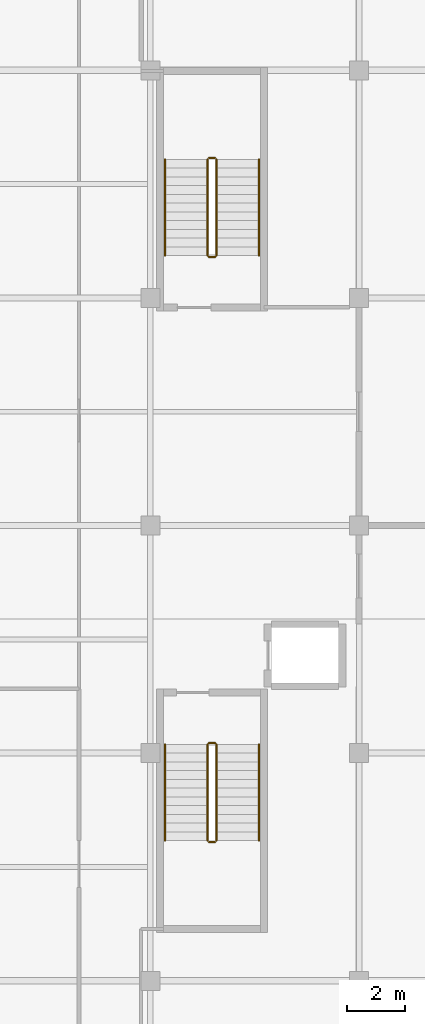
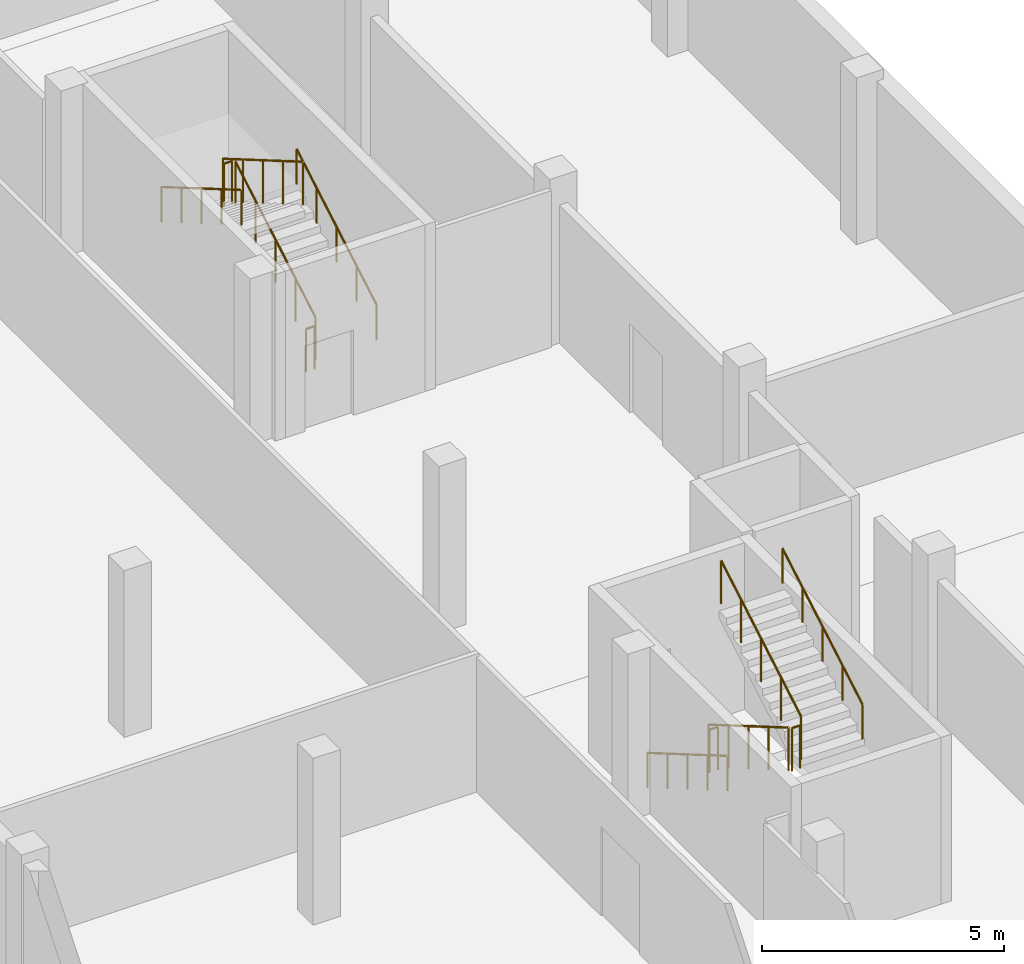
# One storey, part 11 of 15: 12 railings.
"""IFC4 building model written with IfcOpenShell, lengths in metres."""

from ifc_helpers import new_model, si_unit, direction, frame, origin, origin_2d, place, context, subcontext, project, spatial, circle, extrude, material, type_object, element, save


model = new_model("IFC4")

# Units and contexts
model_context = context("Model", 3, precision=1e-05, world=origin(), true_north=direction((0.0, 1.0)))
body_context = subcontext(model_context, "Body", "Model", "MODEL_VIEW")
ifc_project = project(units=[si_unit("LENGTHUNIT", "METRE"), si_unit("AREAUNIT", "SQUARE_METRE"), si_unit("VOLUMEUNIT", "CUBIC_METRE"), si_unit("PLANEANGLEUNIT", "RADIAN"), si_unit("MASSUNIT", "GRAM", prefix="KILO")], contexts=[model_context])

# Site, building, storey
site_placement = place(None, origin())
site = spatial("IfcSite", under=ifc_project, at=site_placement, CompositionType="ELEMENT")
building_placement = place(site_placement, origin())
building = spatial("IfcBuilding", under=site, at=building_placement, Name="Quillay Park Conservatory", CompositionType="ELEMENT")
storey_placement = place(building_placement, frame((0.0, 0.0, -4.199951171875)))
storey = spatial("IfcBuildingStorey", under=building, at=storey_placement, Name="B1", CompositionType="ELEMENT", Elevation=-4.199951171875)

# Railings
ifc_material_1 = material(Name="Steel S355J2H", Category="steel")
railing_type_1 = type_object("IfcRailingType", Name="STAIR WALL HANDRAIL 900", PredefinedType="HANDRAIL", material=ifc_material_1)
railing_1_placement = place(storey_placement, frame((15.5, 23.699951171875, 0.175048828125)))
element("IfcRailing", 1, at=railing_1_placement, inside=storey, type_object=railing_type_1, Name="B1 ST-V1 stair handrail 1", PredefinedType="HANDRAIL", context=body_context, shape_type="SweptSolid", body=[
    extrude(circle(Radius=0.02392578125, at=origin_2d()), frame((0.0, 0.0, 0.8759765625), z_axis=(0.0, -0.863804395585, 0.503827317807), x_axis=(1.0, 0.0, 0.0)), (0.0, 0.0, 1.0), 3.8203125),
    extrude(circle(Radius=0.02099609375, at=origin_2d()), origin(), (0.0, 0.0, 1.0), 0.851806640625),
    extrude(circle(Radius=0.02099609375, at=origin_2d()), frame((0.0, -0.824951171875, 0.481201171875)), (0.0, 0.0, 1.0), 0.851806640625),
    extrude(circle(Radius=0.02099609375, at=origin_2d()), frame((0.0, -1.64990234375, 0.96240234375)), (0.0, 0.0, 1.0), 0.851806640625),
    extrude(circle(Radius=0.02099609375, at=origin_2d()), frame((0.0, -2.47509765625, 1.443603515625)), (0.0, 0.0, 1.0), 0.851806640625),
    extrude(circle(Radius=0.02099609375, at=origin_2d()), frame((0.0, -3.300048828125, 1.9248046875)), (0.0, 0.0, 1.0), 0.851806640625),
])
railing_2_placement = place(storey_placement, frame((18.719970703125, 20.39990234375, 2.27490234375)))
element("IfcRailing", 2, at=railing_2_placement, inside=storey, type_object=railing_type_1, Name="B1 ST-V1 stair handrail 2", PredefinedType="HANDRAIL", context=body_context, shape_type="SweptSolid", body=[
    extrude(circle(Radius=0.02392578125, at=origin_2d()), frame((0.0, 0.0, 0.8759765625), z_axis=(0.0, 0.863776583165, 0.503874998761), x_axis=(-1.0, 0.0, 0.0)), (0.0, 0.0, 1.0), 3.820556640625),
    extrude(circle(Radius=0.02099609375, at=origin_2d()), origin(), (0.0, 0.0, 1.0), 0.851806640625),
    extrude(circle(Radius=0.02099609375, at=origin_2d()), frame((0.0, 0.824951171875, 0.481201171875)), (0.0, 0.0, 1.0), 0.851806640625),
    extrude(circle(Radius=0.02099609375, at=origin_2d()), frame((0.0, 1.64990234375, 0.96240234375)), (0.0, 0.0, 1.0), 0.851806640625),
    extrude(circle(Radius=0.02099609375, at=origin_2d()), frame((0.0, 2.47509765625, 1.44384765625)), (0.0, 0.0, 1.0), 0.851806640625),
    extrude(circle(Radius=0.02099609375, at=origin_2d()), frame((0.0, 3.300048828125, 1.925048828125)), (0.0, 0.0, 1.0), 0.851806640625),
])
railing_3_placement = place(storey_placement, frame((18.719970703125, 40.449951171875, 0.175048828125)))
element("IfcRailing", 3, at=railing_3_placement, inside=storey, type_object=railing_type_1, Name="B1 ST-V2 stair handrail 1", PredefinedType="HANDRAIL", context=body_context, shape_type="SweptSolid", body=[
    extrude(circle(Radius=0.02392578125, at=origin_2d()), frame((0.0, 0.0, 0.8759765625), z_axis=(0.0, 0.863804395585, 0.503827317807), x_axis=(-1.0, 0.0, 0.0)), (0.0, 0.0, 1.0), 3.8203125),
    extrude(circle(Radius=0.02099609375, at=origin_2d()), origin(), (0.0, 0.0, 1.0), 0.851806640625),
    extrude(circle(Radius=0.02099609375, at=origin_2d()), frame((0.0, 0.824951171875, 0.481201171875)), (0.0, 0.0, 1.0), 0.851806640625),
    extrude(circle(Radius=0.02099609375, at=origin_2d()), frame((0.0, 1.64990234375, 0.96240234375)), (0.0, 0.0, 1.0), 0.851806640625),
    extrude(circle(Radius=0.02099609375, at=origin_2d()), frame((0.0, 2.47509765625, 1.443603515625)), (0.0, 0.0, 1.0), 0.851806640625),
    extrude(circle(Radius=0.02099609375, at=origin_2d()), frame((0.0, 3.300048828125, 1.9248046875)), (0.0, 0.0, 1.0), 0.851806640625),
])
railing_4_placement = place(storey_placement, frame((15.5, 43.75, 2.27490234375)))
element("IfcRailing", 4, at=railing_4_placement, inside=storey, type_object=railing_type_1, Name="B1 ST-V2 stair handrail 2", PredefinedType="HANDRAIL", context=body_context, shape_type="SweptSolid", body=[
    extrude(circle(Radius=0.02392578125, at=origin_2d()), frame((0.0, 0.0, 0.8759765625), z_axis=(0.0, -0.863776583165, 0.503874998761), x_axis=(1.0, 0.0, 0.0)), (0.0, 0.0, 1.0), 3.820556640625),
    extrude(circle(Radius=0.02099609375, at=origin_2d()), origin(), (0.0, 0.0, 1.0), 0.851806640625),
    extrude(circle(Radius=0.02099609375, at=origin_2d()), frame((0.0, -0.824951171875, 0.481201171875)), (0.0, 0.0, 1.0), 0.851806640625),
    extrude(circle(Radius=0.02099609375, at=origin_2d()), frame((0.0, -1.64990234375, 0.96240234375)), (0.0, 0.0, 1.0), 0.851806640625),
    extrude(circle(Radius=0.02099609375, at=origin_2d()), frame((0.0, -2.47509765625, 1.44384765625)), (0.0, 0.0, 1.0), 0.851806640625),
    extrude(circle(Radius=0.02099609375, at=origin_2d()), frame((0.0, -3.300048828125, 1.925048828125)), (0.0, 0.0, 1.0), 0.851806640625),
])
ifc_material_2 = material(Name="Steel S355J2H", Category="steel")
railing_type_2 = type_object("IfcRailingType", Name="STAIR WELL GUARDRAIL 1100", PredefinedType="GUARDRAIL", material=ifc_material_2)
railing_5_placement = place(storey_placement, frame((16.9599609375, 23.699951171875, 0.175048828125)))
element("IfcRailing", 5, at=railing_5_placement, inside=storey, type_object=railing_type_2, Name="B1 ST-V1 stair guard 1", PredefinedType="GUARDRAIL", context=body_context, shape_type="SweptSolid", body=[
    extrude(circle(Radius=0.02392578125, at=origin_2d()), frame((0.0, 0.0, 1.076171875), z_axis=(0.0, -0.863804395585, 0.503827317807), x_axis=(1.0, 0.0, 0.0)), (0.0, 0.0, 1.0), 3.8203125),
    extrude(circle(Radius=0.02099609375, at=origin_2d()), origin(), (0.0, 0.0, 1.0), 1.052001953125),
    extrude(circle(Radius=0.02099609375, at=origin_2d()), frame((0.0, -0.824951171875, 0.481201171875)), (0.0, 0.0, 1.0), 1.052001953125),
    extrude(circle(Radius=0.02099609375, at=origin_2d()), frame((0.0, -1.64990234375, 0.96240234375)), (0.0, 0.0, 1.0), 1.052001953125),
    extrude(circle(Radius=0.02099609375, at=origin_2d()), frame((0.0, -2.47509765625, 1.443603515625)), (0.0, 0.0, 1.0), 1.052001953125),
    extrude(circle(Radius=0.02099609375, at=origin_2d()), frame((0.0, -3.300048828125, 1.9248046875)), (0.0, 0.0, 1.0), 1.052001953125),
])
railing_6_placement = place(storey_placement, frame((17.010009765625, 20.35009765625, 2.099853515625)))
element("IfcRailing", 6, at=railing_6_placement, inside=storey, type_object=railing_type_2, Name="B1 ST-V1 stair guard 2", PredefinedType="GUARDRAIL", context=body_context, shape_type="SweptSolid", body=[
    extrude(circle(Radius=0.02392578125, at=origin_2d()), frame((0.0, 0.0, 1.076171875), z_axis=(1.0, 0.0, 0.0), x_axis=(0.0, 1.0, 0.0)), (0.0, 0.0, 1.0), 0.199951171875),
    extrude(circle(Radius=0.02099609375, at=origin_2d()), origin(), (0.0, 0.0, 1.0), 1.052001953125),
    extrude(circle(Radius=0.02099609375, at=origin_2d()), frame((0.199951171875, 0.0, 0.0)), (0.0, 0.0, 1.0), 1.052001953125),
])
railing_7_placement = place(storey_placement, frame((17.260009765625, 20.39990234375, 2.27490234375)))
element("IfcRailing", 7, at=railing_7_placement, inside=storey, type_object=railing_type_2, Name="B1 ST-V1 stair guard 3", PredefinedType="GUARDRAIL", context=body_context, shape_type="SweptSolid", body=[
    extrude(circle(Radius=0.02392578125, at=origin_2d()), frame((0.0, 0.0, 1.076171875), z_axis=(0.0, 0.863776583165, 0.503874998761), x_axis=(-1.0, 0.0, 0.0)), (0.0, 0.0, 1.0), 3.820556640625),
    extrude(circle(Radius=0.02099609375, at=origin_2d()), origin(), (0.0, 0.0, 1.0), 1.052001953125),
    extrude(circle(Radius=0.02099609375, at=origin_2d()), frame((0.0, 0.824951171875, 0.481201171875)), (0.0, 0.0, 1.0), 1.052001953125),
    extrude(circle(Radius=0.02099609375, at=origin_2d()), frame((0.0, 1.64990234375, 0.96240234375)), (0.0, 0.0, 1.0), 1.052001953125),
    extrude(circle(Radius=0.02099609375, at=origin_2d()), frame((0.0, 2.47509765625, 1.44384765625)), (0.0, 0.0, 1.0), 1.052001953125),
    extrude(circle(Radius=0.02099609375, at=origin_2d()), frame((0.0, 3.300048828125, 1.925048828125)), (0.0, 0.0, 1.0), 1.052001953125),
])
railing_8_placement = place(storey_placement, frame((17.010009765625, 23.75, 0.0)))
element("IfcRailing", 8, at=railing_8_placement, inside=storey, type_object=railing_type_2, Name="B1 ST-V1 stair guard 4", PredefinedType="GUARDRAIL", context=body_context, shape_type="SweptSolid", body=[
    extrude(circle(Radius=0.02392578125, at=origin_2d()), frame((0.0, 0.0, 1.076171875), z_axis=(1.0, 0.0, 0.0), x_axis=(0.0, 1.0, 0.0)), (0.0, 0.0, 1.0), 0.199951171875),
    extrude(circle(Radius=0.02099609375, at=origin_2d()), origin(), (0.0, 0.0, 1.0), 1.052001953125),
    extrude(circle(Radius=0.02099609375, at=origin_2d()), frame((0.199951171875, 0.0, 0.0)), (0.0, 0.0, 1.0), 1.052001953125),
])
railing_9_placement = place(storey_placement, frame((17.260009765625, 40.449951171875, 0.175048828125)))
element("IfcRailing", 9, at=railing_9_placement, inside=storey, type_object=railing_type_2, Name="B1 ST-V2 stair guard 1", PredefinedType="GUARDRAIL", context=body_context, shape_type="SweptSolid", body=[
    extrude(circle(Radius=0.02392578125, at=origin_2d()), frame((0.0, 0.0, 1.076171875), z_axis=(0.0, 0.863804395585, 0.503827317807), x_axis=(-1.0, 0.0, 0.0)), (0.0, 0.0, 1.0), 3.8203125),
    extrude(circle(Radius=0.02099609375, at=origin_2d()), origin(), (0.0, 0.0, 1.0), 1.052001953125),
    extrude(circle(Radius=0.02099609375, at=origin_2d()), frame((0.0, 0.824951171875, 0.481201171875)), (0.0, 0.0, 1.0), 1.052001953125),
    extrude(circle(Radius=0.02099609375, at=origin_2d()), frame((0.0, 1.64990234375, 0.96240234375)), (0.0, 0.0, 1.0), 1.052001953125),
    extrude(circle(Radius=0.02099609375, at=origin_2d()), frame((0.0, 2.47509765625, 1.443603515625)), (0.0, 0.0, 1.0), 1.052001953125),
    extrude(circle(Radius=0.02099609375, at=origin_2d()), frame((0.0, 3.300048828125, 1.9248046875)), (0.0, 0.0, 1.0), 1.052001953125),
])
railing_10_placement = place(storey_placement, frame((17.2099609375, 43.800048828125, 2.099853515625)))
element("IfcRailing", 10, at=railing_10_placement, inside=storey, type_object=railing_type_2, Name="B1 ST-V2 stair guard 2", PredefinedType="GUARDRAIL", context=body_context, shape_type="SweptSolid", body=[
    extrude(circle(Radius=0.02392578125, at=origin_2d()), frame((0.0, 0.0, 1.076171875), z_axis=(-1.0, 0.0, 0.0), x_axis=(0.0, -1.0, 0.0)), (0.0, 0.0, 1.0), 0.199951171875),
    extrude(circle(Radius=0.02099609375, at=origin_2d()), origin(), (0.0, 0.0, 1.0), 1.052001953125),
    extrude(circle(Radius=0.02099609375, at=origin_2d()), frame((-0.199951171875, 0.0, 0.0)), (0.0, 0.0, 1.0), 1.052001953125),
])
railing_11_placement = place(storey_placement, frame((16.9599609375, 43.75, 2.27490234375)))
element("IfcRailing", 11, at=railing_11_placement, inside=storey, type_object=railing_type_2, Name="B1 ST-V2 stair guard 3", PredefinedType="GUARDRAIL", context=body_context, shape_type="SweptSolid", body=[
    extrude(circle(Radius=0.02392578125, at=origin_2d()), frame((0.0, 0.0, 1.076171875), z_axis=(0.0, -0.863776583165, 0.503874998761), x_axis=(1.0, 0.0, 0.0)), (0.0, 0.0, 1.0), 3.820556640625),
    extrude(circle(Radius=0.02099609375, at=origin_2d()), origin(), (0.0, 0.0, 1.0), 1.052001953125),
    extrude(circle(Radius=0.02099609375, at=origin_2d()), frame((0.0, -0.824951171875, 0.481201171875)), (0.0, 0.0, 1.0), 1.052001953125),
    extrude(circle(Radius=0.02099609375, at=origin_2d()), frame((0.0, -1.64990234375, 0.96240234375)), (0.0, 0.0, 1.0), 1.052001953125),
    extrude(circle(Radius=0.02099609375, at=origin_2d()), frame((0.0, -2.47509765625, 1.44384765625)), (0.0, 0.0, 1.0), 1.052001953125),
    extrude(circle(Radius=0.02099609375, at=origin_2d()), frame((0.0, -3.300048828125, 1.925048828125)), (0.0, 0.0, 1.0), 1.052001953125),
])
railing_12_placement = place(storey_placement, frame((17.2099609375, 40.39990234375, 0.0)))
element("IfcRailing", 12, at=railing_12_placement, inside=storey, type_object=railing_type_2, Name="B1 ST-V2 stair guard 4", PredefinedType="GUARDRAIL", context=body_context, shape_type="SweptSolid", body=[
    extrude(circle(Radius=0.02392578125, at=origin_2d()), frame((0.0, 0.0, 1.076171875), z_axis=(-1.0, 0.0, 0.0), x_axis=(0.0, -1.0, 0.0)), (0.0, 0.0, 1.0), 0.199951171875),
    extrude(circle(Radius=0.02099609375, at=origin_2d()), origin(), (0.0, 0.0, 1.0), 1.052001953125),
    extrude(circle(Radius=0.02099609375, at=origin_2d()), frame((-0.199951171875, 0.0, 0.0)), (0.0, 0.0, 1.0), 1.052001953125),
])

save(model, "model.ifc")
